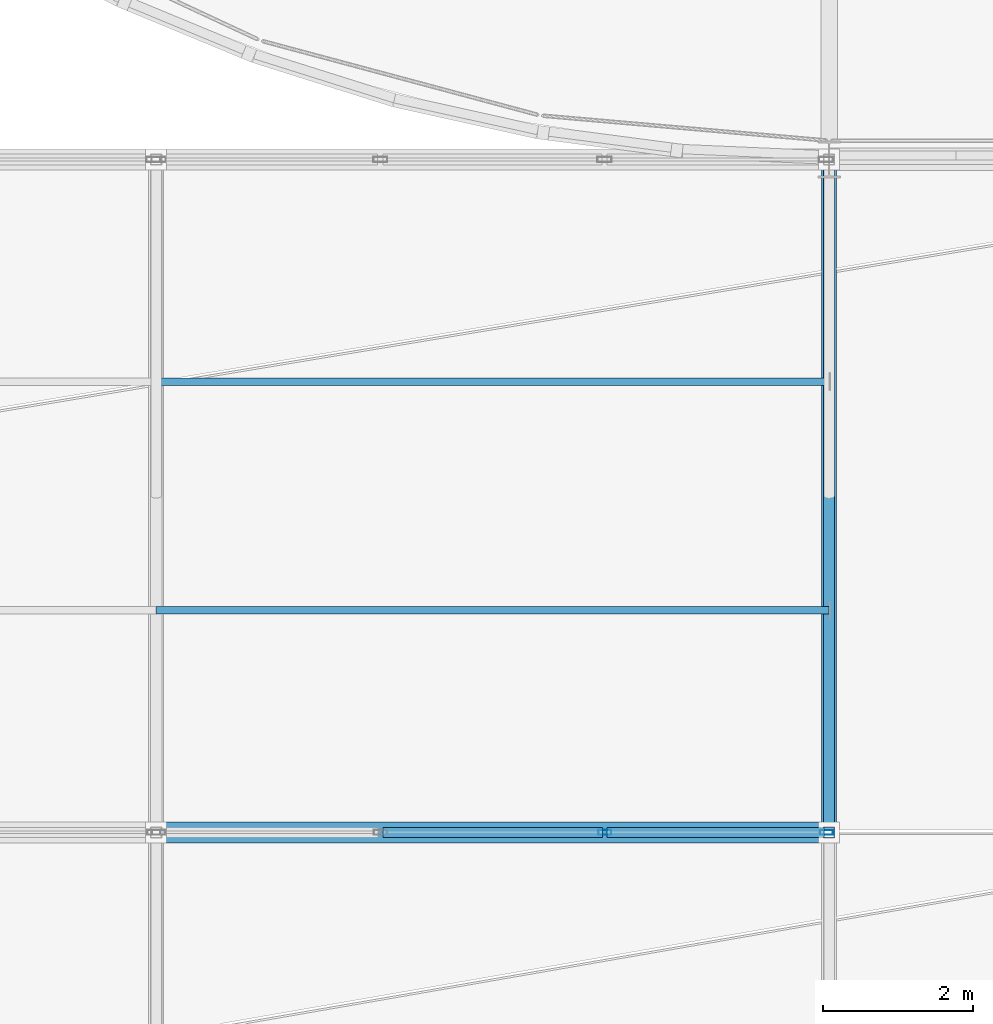
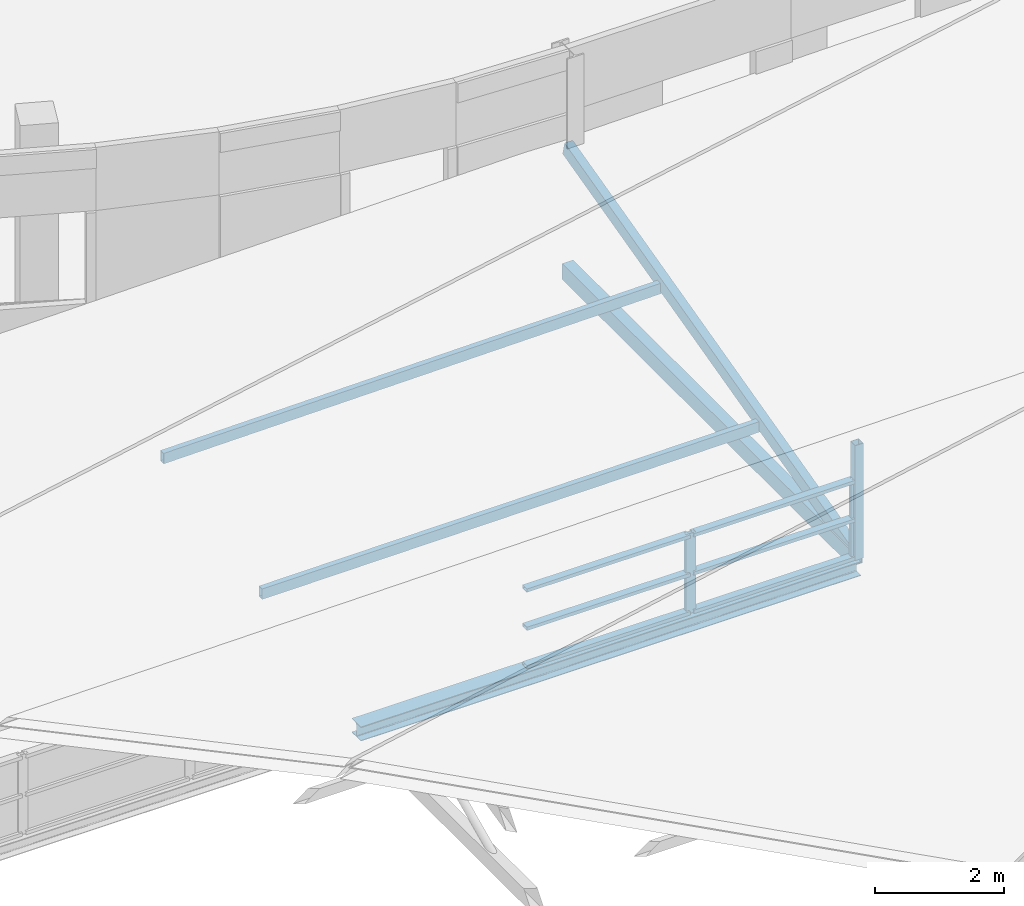
# One storey, part 32 of 103: 13 members, 1 beam, 1 element without a shape of its own.
"""IFC4 building model written with IfcOpenShell, lengths in metres."""

from ifc_helpers import new_model, si_unit, direction, frame, origin, origin_2d, place, context, subcontext, project, spatial, hollow_rectangle, i_section, extrude, material, layer, layer_set, material_profile, profile_set, type_object, element, aggregate, save


model = new_model("IFC4")

# Units and contexts
model_context = context("Model", 3, precision=1e-05, world=origin(), true_north=direction((0.0, 1.0)))
body_context = subcontext(model_context, "Body", "Model", "MODEL_VIEW")
ifc_project = project(units=[si_unit("LENGTHUNIT", "METRE"), si_unit("AREAUNIT", "SQUARE_METRE"), si_unit("VOLUMEUNIT", "CUBIC_METRE"), si_unit("PLANEANGLEUNIT", "RADIAN"), si_unit("MASSUNIT", "GRAM", prefix="KILO")], contexts=[model_context])

# Site, building, storey
site_placement = place(None, origin())
site = spatial("IfcSite", under=ifc_project, at=site_placement, CompositionType="ELEMENT")
building_placement = place(site_placement, origin())
building = spatial("IfcBuilding", under=site, at=building_placement, Name="Deido Ridge Mobility Hub", CompositionType="ELEMENT")
storey_placement = place(building_placement, frame((0.0, 0.0, 12.60009765625)))
storey = spatial("IfcBuildingStorey", under=building, at=storey_placement, Name="L03", CompositionType="ELEMENT", Elevation=12.60009765625)

# Member
ifc_material_1 = material(Name="Steel S355J2H EN 10210-1", Category="steel")
ifc_material_profile_1 = material_profile(ifc_material_1, hollow_rectangle(XDim=0.199951171875, YDim=0.300048828125, WallThickness=0.012451171875, at=origin_2d()), Name="RHS 300x200x12.5")
ifc_profile_set_1 = profile_set([ifc_material_profile_1], Name="Steel S355J2H EN 10210-1")
member_type_1 = type_object("IfcMemberType", Name="MEM-CHD-RHS300", PredefinedType="CHORD", material=ifc_profile_set_1)
member_1_placement = place(storey_placement, frame((45.0, 72.0, 0.0), z_axis=(0.0, 1.0, 0.0), x_axis=(-1.0, 0.0, 0.0)))
element("IfcMember", 1, at=member_1_placement, inside=storey, type_object=member_type_1, Name="Sawtooth bottom chord CH1", PredefinedType="CHORD", context=body_context, shape_type="SweptSolid", body=[
    extrude(hollow_rectangle(XDim=0.199951171875, YDim=0.300048828125, WallThickness=0.012451171875, at=origin_2d()), origin(), (0.0, 0.0, 1.0), 9.0),
])

# Curtain wall, members
ifc_material_2 = material(Name="Anodised aluminium EN AW-6063 T6", Category="aluminium")
ifc_layer = layer(ifc_material_2, 0.14404296875, Name="Anodised aluminium EN AW-6063 T6")
ifc_layer_set = layer_set([ifc_layer], Name="Anodised aluminium EN AW-6063 T6")
curtain_wall_type = type_object("IfcCurtainWallType", Name="CW-GS-2", PredefinedType="USERDEFINED", material=ifc_layer_set)
curtain_wall_placement = place(storey_placement, origin())
curtain_wall = element("IfcCurtainWall", 2, at=curtain_wall_placement, inside=storey, type_object=curtain_wall_type, Name="Unitised curtain wall GS2", ObjectType="GLAZED SCREEN", PredefinedType="USERDEFINED")
ifc_material_profile_2 = material_profile(ifc_material_2, hollow_rectangle(XDim=0.06494140625, YDim=0.175048828125, WallThickness=0.00390625, at=origin_2d()), Name="RHS 65x175x4")
ifc_profile_set_2 = profile_set([ifc_material_profile_2], Name="Anodised aluminium EN AW-6063 T6")
member_type_2 = type_object("IfcMemberType", Name="MEM-MUL-65X175", PredefinedType="MULLION", material=ifc_profile_set_2)
member_2_placement = place(storey_placement, frame((42.0, 72.0, 0.0), z_axis=(0.0, 0.0, 1.0), x_axis=(0.0, 1.0, 0.0)))
member_2 = element("IfcMember", 3, at=member_2_placement, type_object=member_type_2, Name="GS2 mullion 3", PredefinedType="MULLION", context=body_context, shape_type="SweptSolid", body=[
    extrude(hollow_rectangle(XDim=0.06494140625, YDim=0.175048828125, WallThickness=0.00390625, at=origin_2d()), origin(), (0.0, 0.0, 1.0), 1.52001953125),
])
member_3_placement = place(storey_placement, frame((44.967529296875, 72.0, 0.0), z_axis=(0.0, 0.0, 1.0), x_axis=(0.0, 1.0, 0.0)))
member_3 = element("IfcMember", 4, at=member_3_placement, type_object=member_type_2, Name="GS2 mullion 4", PredefinedType="MULLION", context=body_context, shape_type="SweptSolid", body=[
    extrude(hollow_rectangle(XDim=0.06494140625, YDim=0.175048828125, WallThickness=0.00390625, at=origin_2d()), origin(), (0.0, 0.0, 1.0), 1.52001953125),
])

# Members
ifc_material_profile_3 = material_profile(ifc_material_1, hollow_rectangle(XDim=0.14990234375, YDim=0.14990234375, WallThickness=0.008056640625, at=origin_2d()), Name="SHS 150x150x8")
ifc_profile_set_3 = profile_set([ifc_material_profile_3], Name="Steel S355J2H EN 10210-1")
member_type_3 = type_object("IfcMemberType", Name="MEM-PST-SHS150", PredefinedType="POST", material=ifc_profile_set_3)
member_4_placement = place(storey_placement, frame((45.0, 72.0, 0.0), z_axis=(0.0, 0.0, 1.0), x_axis=(1.0, 0.0, 0.0)))
element("IfcMember", 5, at=member_4_placement, inside=storey, type_object=member_type_3, Name="Sawtooth clerestory post PS1", PredefinedType="POST", context=body_context, shape_type="SweptSolid", body=[
    extrude(hollow_rectangle(XDim=0.14990234375, YDim=0.14990234375, WallThickness=0.008056640625, at=origin_2d()), origin(), (0.0, 0.0, 1.0), 2.179931640625),
])
ifc_material_profile_4 = material_profile(ifc_material_1, hollow_rectangle(XDim=0.10009765625, YDim=0.199951171875, WallThickness=0.008056640625, at=origin_2d()), Name="RHS 200x100x8")
ifc_profile_set_4 = profile_set([ifc_material_profile_4], Name="Steel S355J2H EN 10210-1")
member_type_4 = type_object("IfcMemberType", Name="MEM-PUR-RHS200", PredefinedType="PURLIN", material=ifc_profile_set_4)
member_5_placement = place(storey_placement, frame((36.0, 74.969970703125, 0.66943359375), z_axis=(0.999982674999, 0.0, 0.005886399752), x_axis=(0.0, 1.0, 0.0)))
element("IfcMember", 6, at=member_5_placement, inside=storey, type_object=member_type_4, Name="Sawtooth roof purlin PR1", PredefinedType="PURLIN", context=body_context, shape_type="SweptSolid", body=[
    extrude(hollow_rectangle(XDim=0.10009765625, YDim=0.199951171875, WallThickness=0.008056640625, at=origin_2d()), origin(), (0.0, 0.0, 1.0), 9.000244140625),
])
member_6_placement = place(storey_placement, frame((36.0, 78.030029296875, 1.390380859375), z_axis=(0.999929099722, 0.0, 0.011907792827), x_axis=(0.0, 1.0, 0.0)))
element("IfcMember", 7, at=member_6_placement, inside=storey, type_object=member_type_4, Name="Sawtooth roof purlin PR1", PredefinedType="PURLIN", context=body_context, shape_type="SweptSolid", body=[
    extrude(hollow_rectangle(XDim=0.10009765625, YDim=0.199951171875, WallThickness=0.008056640625, at=origin_2d()), origin(), (0.0, 0.0, 1.0), 9.000732421875),
])
ifc_material_profile_5 = material_profile(ifc_material_1, hollow_rectangle(XDim=0.14990234375, YDim=0.25, WallThickness=0.010009765625, at=origin_2d()), Name="RHS 250x150x10")
ifc_profile_set_5 = profile_set([ifc_material_profile_5], Name="Steel S355J2H EN 10210-1")
member_type_5 = type_object("IfcMemberType", Name="MEM-RAF-RHS250", PredefinedType="RAFTER", material=ifc_profile_set_5)
member_7_placement = place(storey_placement, frame((45.0, 72.0, 0.0498046875), z_axis=(0.0, 0.969376686187, 0.245578582691), x_axis=(-1.0, 0.0, 0.0)))
element("IfcMember", 8, at=member_7_placement, inside=storey, type_object=member_type_5, Name="Sawtooth sloped rafter RF1", PredefinedType="RAFTER", context=body_context, shape_type="SweptSolid", body=[
    extrude(hollow_rectangle(XDim=0.14990234375, YDim=0.25, WallThickness=0.010009765625, at=origin_2d()), origin(), (0.0, 0.0, 1.0), 9.284423828125),
])

# Member
ifc_material_profile_6 = material_profile(ifc_material_2, hollow_rectangle(XDim=0.135009765625, YDim=0.06494140625, WallThickness=0.00390625, at=origin_2d()), Name="RHS 135x65x4")
ifc_profile_set_6 = profile_set([ifc_material_profile_6], Name="Anodised aluminium EN AW-6063 T6")
member_type_6 = type_object("IfcMemberType", Name="MEM-TRN-135X65", PredefinedType="USERDEFINED", material=ifc_profile_set_6)
member_8_placement = place(storey_placement, frame((39.032470703125, 72.0, 0.032470703125), z_axis=(1.0, 0.0, 0.0), x_axis=(0.0, 1.0, 0.0)))
member_8 = element("IfcMember", 9, at=member_8_placement, type_object=member_type_6, Name="GS2 transom 2.1", ObjectType="TRANSOM", PredefinedType="USERDEFINED", context=body_context, shape_type="SweptSolid", body=[
    extrude(hollow_rectangle(XDim=0.135009765625, YDim=0.06494140625, WallThickness=0.00390625, at=origin_2d()), origin(), (0.0, 0.0, 1.0), 2.93505859375),
])

member_9_placement = place(storey_placement, frame((39.032470703125, 72.0, 0.760009765625), z_axis=(1.0, 0.0, 0.0), x_axis=(0.0, 1.0, 0.0)))
member_9 = element("IfcMember", 10, at=member_9_placement, type_object=member_type_6, Name="GS2 transom 2.2", ObjectType="TRANSOM", PredefinedType="USERDEFINED", context=body_context, shape_type="SweptSolid", body=[
    extrude(hollow_rectangle(XDim=0.135009765625, YDim=0.06494140625, WallThickness=0.00390625, at=origin_2d()), origin(), (0.0, 0.0, 1.0), 2.93505859375),
])

member_10_placement = place(storey_placement, frame((39.032470703125, 72.0, 1.4873046875), z_axis=(1.0, 0.0, 0.0), x_axis=(0.0, 1.0, 0.0)))
member_10 = element("IfcMember", 11, at=member_10_placement, type_object=member_type_6, Name="GS2 transom 2.3", ObjectType="TRANSOM", PredefinedType="USERDEFINED", context=body_context, shape_type="SweptSolid", body=[
    extrude(hollow_rectangle(XDim=0.135009765625, YDim=0.06494140625, WallThickness=0.00390625, at=origin_2d()), origin(), (0.0, 0.0, 1.0), 2.93505859375),
])

member_11_placement = place(storey_placement, frame((42.032470703125, 72.0, 0.032470703125), z_axis=(1.0, 0.0, 0.0), x_axis=(0.0, 1.0, 0.0)))
member_11 = element("IfcMember", 12, at=member_11_placement, type_object=member_type_6, Name="GS2 transom 3.1", ObjectType="TRANSOM", PredefinedType="USERDEFINED", context=body_context, shape_type="SweptSolid", body=[
    extrude(hollow_rectangle(XDim=0.135009765625, YDim=0.06494140625, WallThickness=0.00390625, at=origin_2d()), origin(), (0.0, 0.0, 1.0), 2.902587890625),
])

member_12_placement = place(storey_placement, frame((42.032470703125, 72.0, 0.760009765625), z_axis=(1.0, 0.0, 0.0), x_axis=(0.0, 1.0, 0.0)))
member_12 = element("IfcMember", 13, at=member_12_placement, type_object=member_type_6, Name="GS2 transom 3.2", ObjectType="TRANSOM", PredefinedType="USERDEFINED", context=body_context, shape_type="SweptSolid", body=[
    extrude(hollow_rectangle(XDim=0.135009765625, YDim=0.06494140625, WallThickness=0.00390625, at=origin_2d()), origin(), (0.0, 0.0, 1.0), 2.902587890625),
])

member_13_placement = place(storey_placement, frame((42.032470703125, 72.0, 1.4873046875), z_axis=(1.0, 0.0, 0.0), x_axis=(0.0, 1.0, 0.0)))
member_13 = element("IfcMember", 14, at=member_13_placement, type_object=member_type_6, Name="GS2 transom 3.3", ObjectType="TRANSOM", PredefinedType="USERDEFINED", context=body_context, shape_type="SweptSolid", body=[
    extrude(hollow_rectangle(XDim=0.135009765625, YDim=0.06494140625, WallThickness=0.00390625, at=origin_2d()), origin(), (0.0, 0.0, 1.0), 2.902587890625),
])

aggregate(curtain_wall, [member_2, member_3, member_8, member_9, member_10, member_11, member_12, member_13])

# Beam
ifc_material_3 = material(Name="Steel S355J2 EN 10025-2", Category="steel")
ifc_material_profile_7 = material_profile(ifc_material_3, i_section(OverallWidth=0.280029296875, OverallDepth=0.27001953125, WebThickness=0.008056640625, FlangeThickness=0.012939453125, FilletRadius=0.02392578125, at=origin_2d()), Name="HEA 280")
ifc_profile_set_7 = profile_set([ifc_material_profile_7], Name="Steel S355J2 EN 10025-2")
beam_type = type_object("IfcBeamType", Name="SPD-HEA280", PredefinedType="SPANDREL", material=ifc_profile_set_7)
beam_placement = place(storey_placement, frame((36.007080078125, 72.0, -0.135009765625), z_axis=(1.0, 0.0, 0.0), x_axis=(0.0, 1.0, 0.0)))
element("IfcBeam", 15, at=beam_placement, inside=storey, type_object=beam_type, Name="Sawtooth eave beam SP2", PredefinedType="SPANDREL", context=body_context, shape_type="SweptSolid", body=[
    extrude(i_section(OverallWidth=0.280029296875, OverallDepth=0.27001953125, WebThickness=0.008056640625, FlangeThickness=0.012939453125, FilletRadius=0.02392578125, at=origin_2d()), origin(), (0.0, 0.0, 1.0), 8.98583984375),
])

save(model, "model.ifc")
